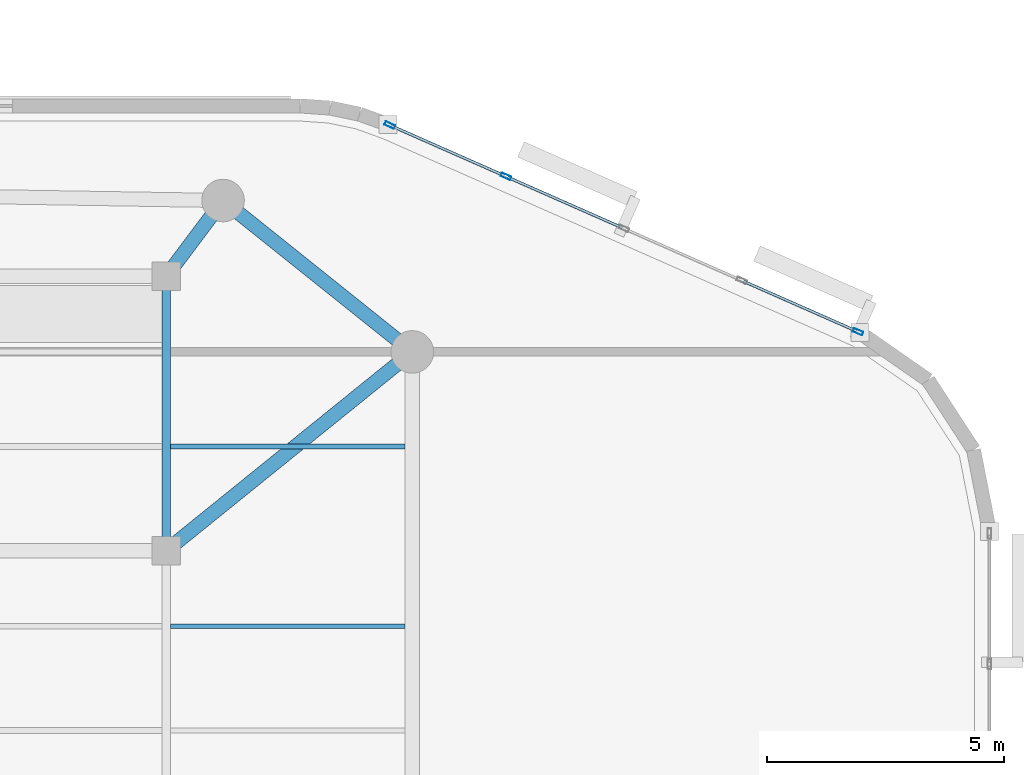
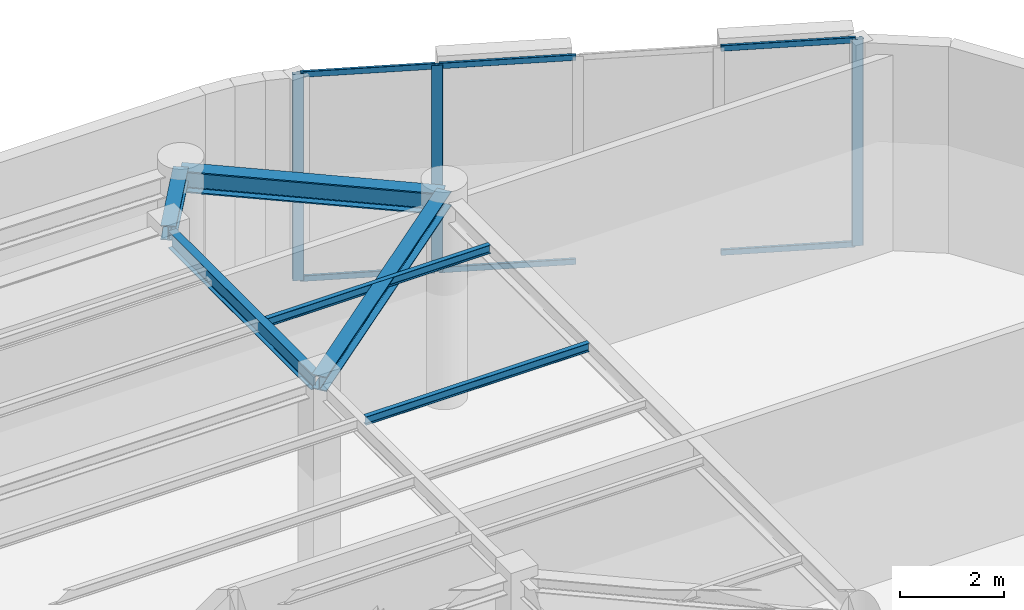
# One storey, part 5 of 12: 9 members, 6 beams, 1 element without a shape of its own.
"""IFC4 building model written with IfcOpenShell, lengths in metres."""

from ifc_helpers import new_model, si_unit, direction, frame, origin, origin_2d, place, context, subcontext, project, spatial, hollow_rectangle, i_section, extrude, material, layer, layer_set, material_profile, profile_set, type_object, element, aggregate, save


model = new_model("IFC4")

# Units and contexts
model_context = context("Model", 3, precision=1e-05, world=origin(), true_north=direction((0.0, 1.0)))
body_context = subcontext(model_context, "Body", "Model", "MODEL_VIEW")
ifc_project = project(units=[si_unit("LENGTHUNIT", "METRE"), si_unit("AREAUNIT", "SQUARE_METRE"), si_unit("VOLUMEUNIT", "CUBIC_METRE"), si_unit("PLANEANGLEUNIT", "RADIAN"), si_unit("MASSUNIT", "GRAM", prefix="KILO")], contexts=[model_context])

# Site, building, storey
site_placement = place(None, origin())
site = spatial("IfcSite", under=ifc_project, at=site_placement, CompositionType="ELEMENT")
building_placement = place(site_placement, origin())
building = spatial("IfcBuilding", under=site, at=building_placement, Name="An Khanh Terracotta Commons", CompositionType="ELEMENT")
storey_placement = place(building_placement, frame((0.0, 0.0, 295.300048828125)))
storey = spatial("IfcBuildingStorey", under=building, at=storey_placement, Name="L77", CompositionType="ELEMENT", Elevation=295.300048828125)

# Beams
ifc_material_1 = material(Name="Steel S355J2", Category="steel")
ifc_material_profile_1 = material_profile(ifc_material_1, i_section(OverallWidth=0.300048828125, OverallDepth=0.340087890625, WebThickness=0.011962890625, FlangeThickness=0.021484375, FilletRadius=0.027099609375, at=origin_2d()), Name="HEB340")
ifc_profile_set_1 = profile_set([ifc_material_profile_1], Name="Steel S355J2")
beam_type_1 = type_object("IfcBeamType", Name="BM-HEB340", PredefinedType="BEAM", material=ifc_profile_set_1)
beam_1_placement = place(storey_placement, frame((63.39990234375, 32.0, 4.679931640625), z_axis=(-0.777941866883, -0.628336256913, 0.0), x_axis=(0.628336256913, -0.777941866883, 0.0)))
element("IfcBeam", 1, at=beam_1_placement, inside=storey, type_object=beam_type_1, Name="L77 Mega-Column Tie Girder 4", PredefinedType="BEAM", context=body_context, shape_type="SweptSolid", body=[
    extrude(i_section(OverallWidth=0.300048828125, OverallDepth=0.340087890625, WebThickness=0.011962890625, FlangeThickness=0.021484375, FilletRadius=0.027099609375, at=origin_2d()), origin(), (0.0, 0.0, 1.0), 6.684326171875),
])
beam_2_placement = place(storey_placement, frame((59.39990234375, 35.199951171875, 4.679931640625), z_axis=(-0.600019532502, -0.799985350251, 0.0), x_axis=(0.799985350251, -0.600019532502, 0.0)))
element("IfcBeam", 2, at=beam_2_placement, inside=storey, type_object=beam_type_1, Name="L77 Mega-Column Tie Girder 5", PredefinedType="BEAM", context=body_context, shape_type="SweptSolid", body=[
    extrude(i_section(OverallWidth=0.300048828125, OverallDepth=0.340087890625, WebThickness=0.011962890625, FlangeThickness=0.021484375, FilletRadius=0.027099609375, at=origin_2d()), origin(), (0.0, 0.0, 1.0), 1.999755859375),
])
ifc_material_profile_2 = material_profile(ifc_material_1, i_section(OverallWidth=0.300048828125, OverallDepth=0.5, WebThickness=0.014404296875, FlangeThickness=0.028076171875, FilletRadius=0.027099609375, at=origin_2d()), Name="HEB500")
ifc_profile_set_2 = profile_set([ifc_material_profile_2], Name="Steel S355J2")
beam_type_2 = type_object("IfcBeamType", Name="BM-HEB500", PredefinedType="BEAM", material=ifc_profile_set_2)
beam_3_placement = place(storey_placement, frame((63.39990234375, 32.0, 4.599853515625), z_axis=(-0.780873459249, 0.624689235253, 0.0), x_axis=(-0.624689235253, -0.780873459249, 0.0)))
element("IfcBeam", 3, at=beam_3_placement, inside=storey, type_object=beam_type_2, Name="L77 Perimeter Ring Spandrel 4", PredefinedType="BEAM", context=body_context, shape_type="SweptSolid", body=[
    extrude(i_section(OverallWidth=0.300048828125, OverallDepth=0.5, WebThickness=0.014404296875, FlangeThickness=0.028076171875, FilletRadius=0.027099609375, at=origin_2d()), origin(), (0.0, 0.0, 1.0), 5.12255859375),
])
ifc_material_profile_3 = material_profile(ifc_material_1, i_section(OverallWidth=0.10009765625, OverallDepth=0.199951171875, WebThickness=0.005615234375, FlangeThickness=0.008544921875, FilletRadius=0.011962890625, at=origin_2d()), Name="IPE200")
ifc_profile_set_3 = profile_set([ifc_material_profile_3], Name="Steel S355J2")
beam_type_3 = type_object("IfcBeamType", Name="BM-IPE200", PredefinedType="JOIST", material=ifc_profile_set_3)
for number, where, z_axis, x_axis, name in (
    (4, (58.2900390625, 26.199951171875, 4.75), (1.0, 0.0, 0.0), (0.0, 1.0, 0.0), "L77 Riverfront Composite Joist 5"),
    (5, (58.2900390625, 30.0, 4.75), (1.0, 0.0, 0.0), (0.0, 1.0, 0.0), "L77 Riverfront Composite Joist 6"),
):
    element("IfcBeam", number, at=place(storey_placement, frame(where, z_axis=z_axis, x_axis=x_axis)), inside=storey, type_object=beam_type_3, Name=name, PredefinedType="JOIST", context=body_context, shape_type="SweptSolid", body=[
        extrude(i_section(OverallWidth=0.10009765625, OverallDepth=0.199951171875, WebThickness=0.005615234375, FlangeThickness=0.008544921875, FilletRadius=0.011962890625, at=origin_2d()), origin(), (0.0, 0.0, 1.0), 4.9599609375),
    ])
ifc_material_profile_4 = material_profile(ifc_material_1, i_section(OverallWidth=0.179931640625, OverallDepth=0.39990234375, WebThickness=0.008544921875, FlangeThickness=0.013427734375, FilletRadius=0.02099609375, at=origin_2d()), Name="IPE400")
ifc_profile_set_4 = profile_set([ifc_material_profile_4], Name="Steel S355J2")
beam_type_4 = type_object("IfcBeamType", Name="BM-IPE400", PredefinedType="JOIST", material=ifc_profile_set_4)
beam_4_placement = place(storey_placement, frame((58.199951171875, 27.949951171875, 4.64990234375), z_axis=(0.0, 1.0, 0.0), x_axis=(-1.0, 0.0, 0.0)))
element("IfcBeam", 6, at=beam_4_placement, inside=storey, type_object=beam_type_4, Name="L77 East Spine Girder 3", PredefinedType="JOIST", context=body_context, shape_type="SweptSolid", body=[
    extrude(i_section(OverallWidth=0.179931640625, OverallDepth=0.39990234375, WebThickness=0.008544921875, FlangeThickness=0.013427734375, FilletRadius=0.02099609375, at=origin_2d()), origin(), (0.0, 0.0, 1.0), 5.5),
])

# Curtain wall, members
ifc_material_2 = material(Name="Anodised Aluminium 6063-T6", Category="aluminium")
ifc_layer = layer(ifc_material_2, 0.239990234375, Name="Anodised Aluminium 6063-T6")
ifc_layer_set = layer_set([ifc_layer], Name="Anodised Aluminium 6063-T6")
curtain_wall_type = type_object("IfcCurtainWallType", Name="CW-SYS-04", PredefinedType="USERDEFINED", material=ifc_layer_set)
curtain_wall_placement = place(storey_placement, origin())
curtain_wall = element("IfcCurtainWall", 7, at=curtain_wall_placement, inside=storey, type_object=curtain_wall_type, Name="L77 CW-04 Unitised Curtain Wall CW-L77-16", ObjectType="UNITISED CURTAIN WALL", PredefinedType="USERDEFINED")
ifc_material_profile_5 = material_profile(ifc_material_2, hollow_rectangle(XDim=0.080078125, YDim=0.219970703125, WallThickness=0.0048828125, InnerFilletRadius=0.0048828125, OuterFilletRadius=0.010009765625, at=origin_2d()), Name="RHS220x80x5")
ifc_profile_set_5 = profile_set([ifc_material_profile_5], Name="Anodised Aluminium 6063-T6")
member_type_1 = type_object("IfcMemberType", Name="CWM-RHS220x80x5", PredefinedType="MULLION", material=ifc_profile_set_5)
member_1_placement = place(storey_placement, frame((72.8203125, 32.426025390625, 0.0), z_axis=(0.0, 0.0, 1.0), x_axis=(-0.403676354285, -0.914901853201, 0.0)))
member_1 = element("IfcMember", 8, at=member_1_placement, type_object=member_type_1, Name="CW-04 mullion 1", PredefinedType="MULLION", context=body_context, shape_type="SweptSolid", body=[
    extrude(hollow_rectangle(XDim=0.080078125, YDim=0.219970703125, WallThickness=0.0048828125, InnerFilletRadius=0.0048828125, OuterFilletRadius=0.010009765625, at=origin_2d()), origin(), (0.0, 0.0, 1.0), 4.849853515625),
])
member_2_placement = place(storey_placement, frame((65.37939453125, 35.709228515625, 0.0), z_axis=(0.0, 0.0, 1.0), x_axis=(-0.403676354285, -0.914901853201, 0.0)))
member_2 = element("IfcMember", 9, at=member_2_placement, type_object=member_type_1, Name="CW-04 mullion 4", PredefinedType="MULLION", context=body_context, shape_type="SweptSolid", body=[
    extrude(hollow_rectangle(XDim=0.080078125, YDim=0.219970703125, WallThickness=0.0048828125, InnerFilletRadius=0.0048828125, OuterFilletRadius=0.010009765625, at=origin_2d()), origin(), (0.0, 0.0, 1.0), 4.849853515625),
])
member_3_placement = place(storey_placement, frame((62.923583984375, 36.79296875, 0.0), z_axis=(0.0, 0.0, 1.0), x_axis=(-0.403676354285, -0.914901853201, 0.0)))
member_3 = element("IfcMember", 10, at=member_3_placement, type_object=member_type_1, Name="CW-04 mullion 5", PredefinedType="MULLION", context=body_context, shape_type="SweptSolid", body=[
    extrude(hollow_rectangle(XDim=0.080078125, YDim=0.219970703125, WallThickness=0.0048828125, InnerFilletRadius=0.0048828125, OuterFilletRadius=0.010009765625, at=origin_2d()), origin(), (0.0, 0.0, 1.0), 4.849853515625),
])
ifc_material_profile_6 = material_profile(ifc_material_2, hollow_rectangle(XDim=0.06005859375, YDim=0.135009765625, WallThickness=0.003662109375, InnerFilletRadius=0.003662109375, OuterFilletRadius=0.007080078125, at=origin_2d()), Name="RHS135x60x3.6")
ifc_profile_set_6 = profile_set([ifc_material_profile_6], Name="Anodised Aluminium 6063-T6")
member_type_2 = type_object("IfcMemberType", Name="CWT-RHS135x60x3.6", PredefinedType="USERDEFINED", material=ifc_profile_set_6)
member_4_placement = place(storey_placement, frame((72.78369140625, 32.4423828125, 0.030029296875), z_axis=(-0.914898453294, 0.40368405983, 0.0), x_axis=(-0.40368405983, -0.914898453294, 0.0)))
member_4 = element("IfcMember", 11, at=member_4_placement, type_object=member_type_2, Name="CW-04 transom 1.1", ObjectType="TRANSOM", PredefinedType="USERDEFINED", context=body_context, shape_type="SweptSolid", body=[
    extrude(hollow_rectangle(XDim=0.06005859375, YDim=0.135009765625, WallThickness=0.003662109375, InnerFilletRadius=0.003662109375, OuterFilletRadius=0.007080078125, at=origin_2d()), origin(), (0.0, 0.0, 1.0), 2.604248046875),
])
member_5_placement = place(storey_placement, frame((72.78369140625, 32.4423828125, 4.820068359375), z_axis=(-0.914898453294, 0.40368405983, 0.0), x_axis=(-0.40368405983, -0.914898453294, 0.0)))
member_5 = element("IfcMember", 12, at=member_5_placement, type_object=member_type_2, Name="CW-04 transom 1.2", ObjectType="TRANSOM", PredefinedType="USERDEFINED", context=body_context, shape_type="SweptSolid", body=[
    extrude(hollow_rectangle(XDim=0.06005859375, YDim=0.135009765625, WallThickness=0.003662109375, InnerFilletRadius=0.003662109375, OuterFilletRadius=0.007080078125, at=origin_2d()), origin(), (0.0, 0.0, 1.0), 2.604248046875),
])
member_6_placement = place(storey_placement, frame((67.83544921875, 34.625732421875, 0.030029296875), z_axis=(-0.914919807128, 0.403635660622, 0.0), x_axis=(-0.403635660622, -0.914919807128, 0.0)))
member_6 = element("IfcMember", 13, at=member_6_placement, type_object=member_type_2, Name="CW-04 transom 3.1", ObjectType="TRANSOM", PredefinedType="USERDEFINED", context=body_context, shape_type="SweptSolid", body=[
    extrude(hollow_rectangle(XDim=0.06005859375, YDim=0.135009765625, WallThickness=0.003662109375, InnerFilletRadius=0.003662109375, OuterFilletRadius=0.007080078125, at=origin_2d()), origin(), (0.0, 0.0, 1.0), 2.64453125),
])
member_7_placement = place(storey_placement, frame((67.83544921875, 34.625732421875, 4.820068359375), z_axis=(-0.914919807128, 0.403635660622, 0.0), x_axis=(-0.403635660622, -0.914919807128, 0.0)))
member_7 = element("IfcMember", 14, at=member_7_placement, type_object=member_type_2, Name="CW-04 transom 3.2", ObjectType="TRANSOM", PredefinedType="USERDEFINED", context=body_context, shape_type="SweptSolid", body=[
    extrude(hollow_rectangle(XDim=0.06005859375, YDim=0.135009765625, WallThickness=0.003662109375, InnerFilletRadius=0.003662109375, OuterFilletRadius=0.007080078125, at=origin_2d()), origin(), (0.0, 0.0, 1.0), 2.64453125),
])
member_8_placement = place(storey_placement, frame((65.343017578125, 35.725341796875, 0.030029296875), z_axis=(-0.914913728775, 0.403649438126, 0.0), x_axis=(-0.403649438126, -0.914913728775, 0.0)))
member_8 = element("IfcMember", 15, at=member_8_placement, type_object=member_type_2, Name="CW-04 transom 4.1", ObjectType="TRANSOM", PredefinedType="USERDEFINED", context=body_context, shape_type="SweptSolid", body=[
    extrude(hollow_rectangle(XDim=0.06005859375, YDim=0.135009765625, WallThickness=0.003662109375, InnerFilletRadius=0.003662109375, OuterFilletRadius=0.007080078125, at=origin_2d()), origin(), (0.0, 0.0, 1.0), 2.6044921875),
])
member_9_placement = place(storey_placement, frame((65.343017578125, 35.725341796875, 4.820068359375), z_axis=(-0.914913728775, 0.403649438126, 0.0), x_axis=(-0.403649438126, -0.914913728775, 0.0)))
member_9 = element("IfcMember", 16, at=member_9_placement, type_object=member_type_2, Name="CW-04 transom 4.2", ObjectType="TRANSOM", PredefinedType="USERDEFINED", context=body_context, shape_type="SweptSolid", body=[
    extrude(hollow_rectangle(XDim=0.06005859375, YDim=0.135009765625, WallThickness=0.003662109375, InnerFilletRadius=0.003662109375, OuterFilletRadius=0.007080078125, at=origin_2d()), origin(), (0.0, 0.0, 1.0), 2.6044921875),
])
aggregate(curtain_wall, [member_1, member_2, member_3, member_4, member_5, member_6, member_7, member_8, member_9])

save(model, "model.ifc")
